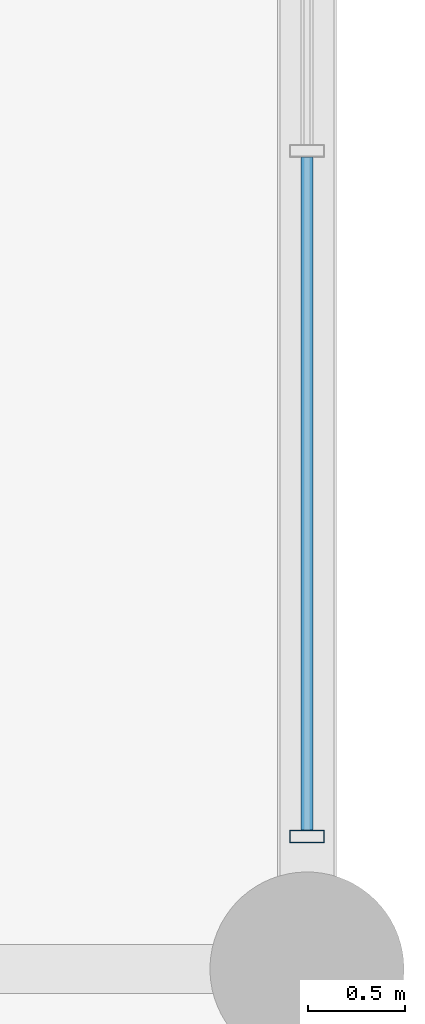
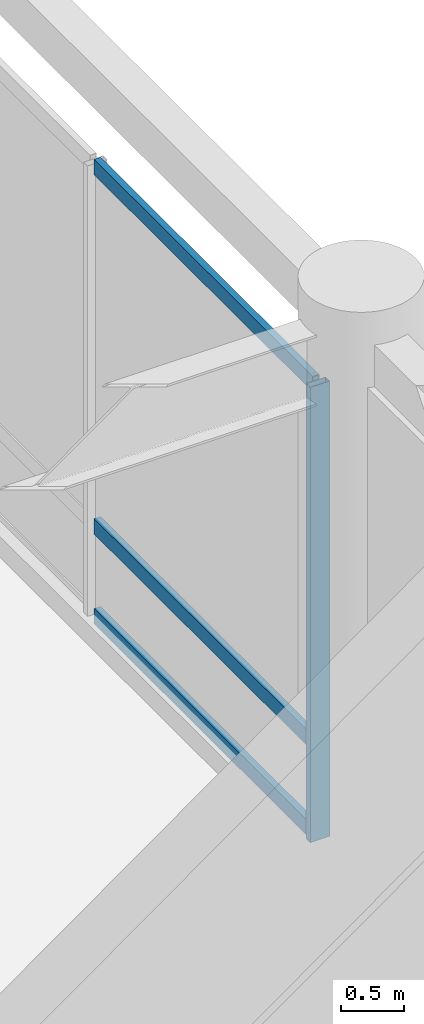
# One storey, part 60 of 105: 4 members, 1 element without a shape of its own.
"""IFC4 building model written with IfcOpenShell, lengths in metres."""

from ifc_helpers import new_model, si_unit, direction, frame, origin, origin_2d, place, context, subcontext, project, spatial, hollow_rectangle, extrude, material, material_profile, profile_set, type_object, element, aggregate, save


model = new_model("IFC4")

# Units and contexts
model_context = context("Model", 3, precision=1e-05, world=origin(), true_north=direction((0.0, 1.0)))
body_context = subcontext(model_context, "Body", "Model", "MODEL_VIEW")
ifc_project = project(units=[si_unit("LENGTHUNIT", "METRE"), si_unit("AREAUNIT", "SQUARE_METRE"), si_unit("VOLUMEUNIT", "CUBIC_METRE"), si_unit("PLANEANGLEUNIT", "RADIAN"), si_unit("MASSUNIT", "GRAM", prefix="KILO")], contexts=[model_context])

# Site, building, storey
site_placement = place(None, origin())
site = spatial("IfcSite", under=ifc_project, at=site_placement, CompositionType="ELEMENT")
building_placement = place(site_placement, origin())
building = spatial("IfcBuilding", under=site, at=building_placement, Name="Kaldorvane Square Convention Centre", CompositionType="ELEMENT")
storey_placement = place(building_placement, frame((0.0, 0.0, 6.0)))
storey = spatial("IfcBuildingStorey", under=building, at=storey_placement, Name="L01", CompositionType="ELEMENT", Elevation=6.0)

# Curtain wall, members
ifc_material = material(Name="Anodized Aluminum and Low-E Insulated Glazing", Category="aluminium")
curtain_wall_type = type_object("IfcCurtainWallType", Name="CW-UNI-P60-09", PredefinedType="USERDEFINED", material=ifc_material)
curtain_wall_placement = place(storey_placement, origin())
curtain_wall = element("IfcCurtainWall", 1, at=curtain_wall_placement, inside=storey, type_object=curtain_wall_type, Name="Curtain Wall CW-02 (L01)", ObjectType="UNITISED GLAZING", PredefinedType="USERDEFINED")
ifc_material_profile_1 = material_profile(ifc_material, hollow_rectangle(XDim=0.06500244140625, YDim=0.17999267578125, WallThickness=0.0034942626953125, at=origin_2d()), Name="CWM-180X65")
ifc_profile_set_1 = profile_set([ifc_material_profile_1], Name="Anodized Aluminum and Low-E Insulated Glazing")
member_type_1 = type_object("IfcMemberType", Name="CW-MUL-180", PredefinedType="MULLION", material=ifc_profile_set_1)
member_1_placement = place(storey_placement, frame((174.0, 84.6824951171875, 0.149993896484375), z_axis=(0.0, 0.0, 1.0), x_axis=(0.0, 1.0, 0.0)))
member_1 = element("IfcMember", 2, at=member_1_placement, type_object=member_type_1, Name="CW-02 mullion 1", PredefinedType="MULLION", context=body_context, shape_type="SweptSolid", body=[
    extrude(hollow_rectangle(XDim=0.06500244140625, YDim=0.17999267578125, WallThickness=0.0034942626953125, at=origin_2d()), origin(), (0.0, 0.0, 1.0), 4.410003662109375),
])
ifc_material_profile_2 = material_profile(ifc_material, hollow_rectangle(XDim=0.05999755859375, YDim=0.149993896484375, WallThickness=0.003204345703125, at=origin_2d()), Name="CWT-150X60")
ifc_profile_set_2 = profile_set([ifc_material_profile_2], Name="Anodized Aluminum and Low-E Insulated Glazing")
member_type_2 = type_object("IfcMemberType", Name="CW-TRN-150", PredefinedType="USERDEFINED", material=ifc_profile_set_2)
member_2_placement = place(storey_placement, frame((174.0, 84.71499633789062, 0.17999267578125), z_axis=(0.0, 1.0, 0.0), x_axis=(-1.0, 0.0, 0.0)))
member_2 = element("IfcMember", 3, at=member_2_placement, type_object=member_type_2, Name="CW-02 transom 1.1", ObjectType="TRANSOM", PredefinedType="USERDEFINED", context=body_context, shape_type="SweptSolid", body=[
    extrude(hollow_rectangle(XDim=0.05999755859375, YDim=0.149993896484375, WallThickness=0.003204345703125, at=origin_2d()), origin(), (0.0, 0.0, 1.0), 3.46917724609375),
])
member_3_placement = place(storey_placement, frame((174.0, 84.71499633789062, 1.0500030517578125), z_axis=(0.0, 1.0, 0.0), x_axis=(-1.0, 0.0, 0.0)))
member_3 = element("IfcMember", 4, at=member_3_placement, type_object=member_type_2, Name="CW-02 transom 1.2", ObjectType="TRANSOM", PredefinedType="USERDEFINED", context=body_context, shape_type="SweptSolid", body=[
    extrude(hollow_rectangle(XDim=0.05999755859375, YDim=0.149993896484375, WallThickness=0.003204345703125, at=origin_2d()), origin(), (0.0, 0.0, 1.0), 3.46917724609375),
])
member_4_placement = place(storey_placement, frame((174.0, 84.71499633789062, 4.529998779296875), z_axis=(0.0, 1.0, 0.0), x_axis=(-1.0, 0.0, 0.0)))
member_4 = element("IfcMember", 5, at=member_4_placement, type_object=member_type_2, Name="CW-02 transom 1.3", ObjectType="TRANSOM", PredefinedType="USERDEFINED", context=body_context, shape_type="SweptSolid", body=[
    extrude(hollow_rectangle(XDim=0.05999755859375, YDim=0.149993896484375, WallThickness=0.003204345703125, at=origin_2d()), origin(), (0.0, 0.0, 1.0), 3.46917724609375),
])
aggregate(curtain_wall, [member_1, member_2, member_3, member_4])

save(model, "model.ifc")
